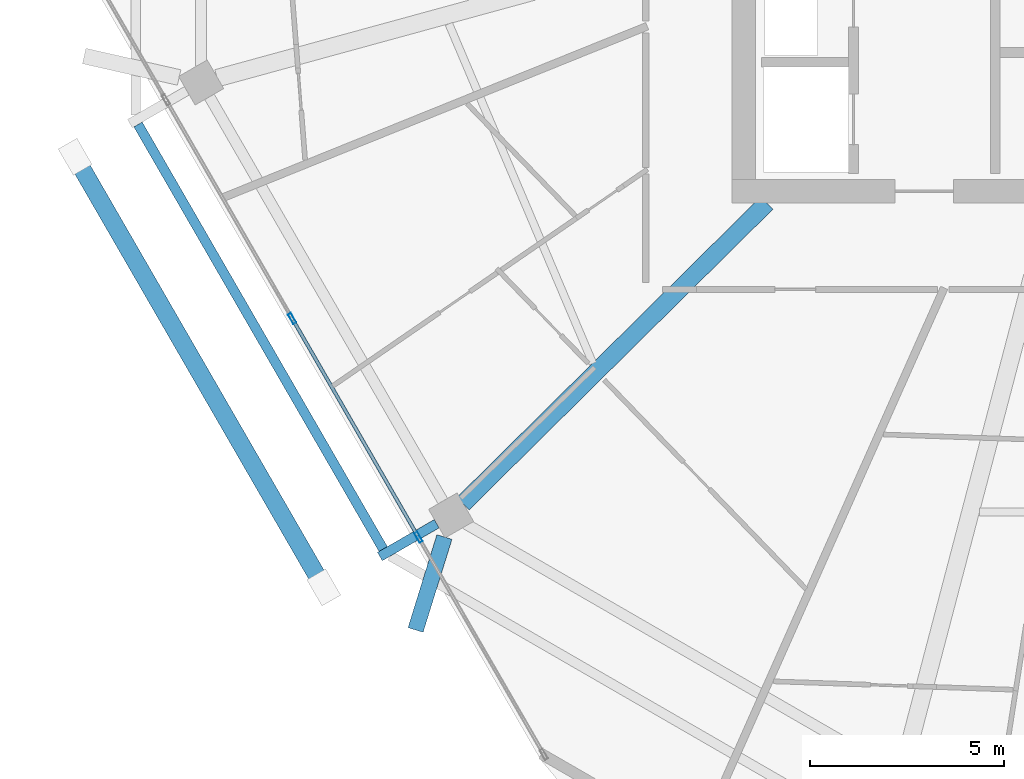
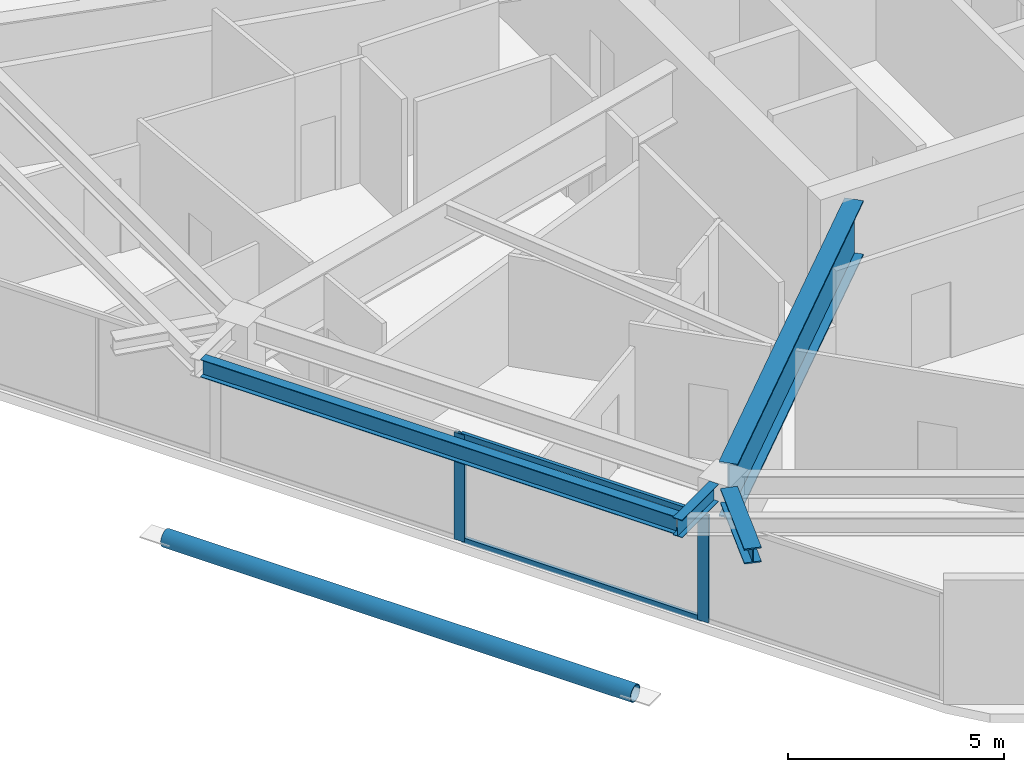
# One storey, part 3 of 26: 5 members, 4 beams, 1 element without a shape of its own.
"""IFC4 building model written with IfcOpenShell, lengths in metres."""

import ifcopenshell
import ifcopenshell.guid

model = None  # the IFC model being written
_history = None  # IfcOwnerHistory: only IFC2X3 demands one
_inside = {}  # id of a spatial element -> (the spatial element, [elements in it])
_under = {}  # id of a project, library or spatial element -> (it, [spatial elements below it])
_declared = {}  # id of a project -> (the project, [libraries it declares])
_typed = {}  # id of a type object -> (the type object, [elements of that type])
_made_of = {}  # id of a material, layer set ... -> (it, [elements and type objects made of it])


def new_model(schema):
    """Start an empty IFC model of exactly this schema.

    Asked for "IFC4X3", IfcOpenShell would pick the latest addendum, in which some entities
    have other attributes; the version numbers below select the first issue.
    IFC2X3 requires an IfcOwnerHistory on every rooted entity: one is made here for all.
    """
    global model, _history
    if schema == "IFC4X3":
        model = ifcopenshell.file(schema_version=(4, 3, 0, 0))
    else:
        model = ifcopenshell.file(schema=schema)
    _inside.clear()
    _under.clear()
    _declared.clear()
    _typed.clear()
    _made_of.clear()
    _history = None
    if model.schema == "IFC2X3":
        org = make("IfcOrganization", Name="unknown")
        user = make(
            "IfcPersonAndOrganization",
            ThePerson=make("IfcPerson", FamilyName="unknown"),
            TheOrganization=org,
        )
        app = make(
            "IfcApplication",
            ApplicationDeveloper=org,
            Version="unknown",
            ApplicationFullName="unknown",
            ApplicationIdentifier="unknown",
        )
        _history = make(
            "IfcOwnerHistory",
            OwningUser=user,
            OwningApplication=app,
            ChangeAction="ADDED",
            CreationDate=0,
        )
    return model


def make(cls, **values):
    """One entity of the class cls with the attributes given. An attribute that is None is left unset."""
    return model.create_entity(
        cls, **{name: value for name, value in values.items() if value is not None}
    )


def rooted(cls, **values):
    """An entity with a GlobalId (a new one), such as an element, a storey or a relation."""
    return make(cls, GlobalId=ifcopenshell.guid.new(), OwnerHistory=_history, **values)


def si_unit(unit_type, name, prefix=None):
    """IfcSIUnit, for example si_unit("LENGTHUNIT", "METRE", prefix="MILLI")."""
    return make("IfcSIUnit", UnitType=unit_type, Prefix=prefix, Name=name)


def assignment(units):
    """IfcUnitAssignment: the units of a project."""
    return None if units is None else make("IfcUnitAssignment", Units=units)


def point(xyz):
    """IfcCartesianPoint."""
    return None if xyz is None else make("IfcCartesianPoint", Coordinates=xyz)


def direction(xyz):
    """IfcDirection."""
    return None if xyz is None else make("IfcDirection", DirectionRatios=xyz)


def frame(location, z_axis=None, x_axis=None):
    """IfcAxis2Placement3D, a coordinate frame: its origin and axes. An axis left out is left unset."""
    return make(
        "IfcAxis2Placement3D",
        Location=point(location),
        Axis=direction(z_axis),
        RefDirection=direction(x_axis),
    )


def frame_2d(location, x_axis=None):
    """IfcAxis2Placement2D, a coordinate frame in the plane: its origin and x axis."""
    return make(
        "IfcAxis2Placement2D", Location=point(location), RefDirection=direction(x_axis)
    )


def origin():
    """The frame at (0, 0, 0) with its axes left unset."""
    return frame((0.0, 0.0, 0.0))


def origin_2d():
    """The frame at (0, 0) in the plane with its x axis left unset."""
    return frame_2d((0.0, 0.0))


def place(relative_to, where):
    """IfcLocalPlacement: puts the frame where relative to a parent placement (None: the world)."""
    return make(
        "IfcLocalPlacement", PlacementRelTo=relative_to, RelativePlacement=where
    )


def context(
    kind, dimensions, precision=None, world=None, true_north=None, identifier=None
):
    """IfcGeometricRepresentationContext, for example the 3D "Model" context."""
    return make(
        "IfcGeometricRepresentationContext",
        ContextIdentifier=identifier,
        ContextType=kind,
        CoordinateSpaceDimension=dimensions,
        Precision=precision,
        WorldCoordinateSystem=world,
        TrueNorth=true_north,
    )


def subcontext(parent, identifier, kind, view, scale=None):
    """IfcGeometricRepresentationSubContext, for example "Body" below "Model"."""
    return make(
        "IfcGeometricRepresentationSubContext",
        ContextIdentifier=identifier,
        ContextType=kind,
        ParentContext=parent,
        TargetScale=scale,
        TargetView=view,
    )


def project(units=None, contexts=None):
    """IfcProject with its units and contexts."""
    return rooted(
        "IfcProject",
        Name="project",
        RepresentationContexts=contexts,
        UnitsInContext=assignment(units),
    )


def spatial(cls, under=None, at=None, **own):
    """A site, building, storey or space (cls), placed at a placement, below another one or the project."""
    s = rooted(cls, ObjectPlacement=at, **own)
    if under is not None:
        _under.setdefault(under.id(), (under, []))[1].append(s)
    return s


def profile(cls, at=None, kind="AREA", **sizes):
    """A parametric profile (cls). Its sizes go by their IFC names, for example OverallWidth=200.0."""
    return make(cls, ProfileType=kind, Position=at, **sizes)


def hollow_rectangle(**sizes):
    """IfcRectangleHollowProfileDef."""
    return profile("IfcRectangleHollowProfileDef", **sizes)


def hollow_circle(**sizes):
    """IfcCircleHollowProfileDef."""
    return profile("IfcCircleHollowProfileDef", **sizes)


def i_section(**sizes):
    """IfcIShapeProfileDef."""
    return profile("IfcIShapeProfileDef", **sizes)


def extrude(swept, where, along, depth):
    """IfcExtrudedAreaSolid: the profile swept, set in the frame where, extruded along a direction by depth."""
    return make(
        "IfcExtrudedAreaSolid",
        SweptArea=swept,
        Position=where,
        ExtrudedDirection=direction(along),
        Depth=depth,
    )


def shape(context_of_items, identifier, shape_type, items):
    """IfcShapeRepresentation: the items that make up one representation, for example the "Body"."""
    return make(
        "IfcShapeRepresentation",
        ContextOfItems=context_of_items,
        RepresentationIdentifier=identifier,
        RepresentationType=shape_type,
        Items=items,
    )


def material(Name=None, Category=None):
    """IfcMaterial."""
    return make("IfcMaterial", Name=Name, Category=Category)


def material_profile(
    of_material, cross_section, Name=None, Category=None, Priority=None
):
    """IfcMaterialProfile: a cross section and its material."""
    return make(
        "IfcMaterialProfile",
        Name=Name,
        Material=of_material,
        Profile=cross_section,
        Priority=Priority,
        Category=Category,
    )


def profile_set(profiles, Name=None, composite=None):
    """IfcMaterialProfileSet."""
    return make(
        "IfcMaterialProfileSet",
        Name=Name,
        MaterialProfiles=profiles,
        CompositeProfile=composite,
    )


def made_of(thing, what):
    """Note that an element or type object is made of a material, layer set ...; save() writes the relation."""
    if what is not None:
        _made_of.setdefault(what.id(), (what, []))[1].append(thing)
    return thing


def type_object(cls, material=None, **own):
    """A type object (cls), such as IfcWallType, which elements share."""
    return made_of(rooted(cls, **own), material)


def element(
    cls,
    number,
    at=None,
    inside=None,
    cuts=None,
    type_object=None,
    material=None,
    context=None,
    identifier="Body",
    shape_type=None,
    held_by="IfcProductDefinitionShape",
    body=None,
    shapes=None,
    **own,
):
    """One element of the class cls, such as IfcWall. Its Tag is "e" and its number.

    at: its placement. inside: the storey or other place that contains it. cuts: it is an
    opening in that element (IfcRelVoidsElement). A single representation is given by context,
    identifier, shape_type and body (its items); several are given by shapes. held_by: the class
    of the entity that holds the representations. save() writes the other relations.
    """
    e = rooted(cls, Tag="e%d" % number, ObjectPlacement=at, **own)
    if body is not None:
        shapes = [shape(context, identifier, shape_type, body)]
    if shapes is not None:
        e.Representation = make(held_by, Representations=shapes)
    if inside is not None:
        _inside.setdefault(inside.id(), (inside, []))[1].append(e)
    if cuts is not None:
        rooted(
            "IfcRelVoidsElement", RelatingBuildingElement=cuts, RelatedOpeningElement=e
        )
    if type_object is not None:
        _typed.setdefault(type_object.id(), (type_object, []))[1].append(e)
    return made_of(e, material)


def aggregate(whole, parts):
    """IfcRelAggregates: a whole, such as a stair, and the parts it consists of."""
    return rooted("IfcRelAggregates", RelatingObject=whole, RelatedObjects=parts)


def save(model, path):
    """Write the relations noted so far, then the file.

    IfcRelAggregates (storeys below a building ...), IfcRelContainedInSpatialStructure (elements
    in a storey), IfcRelDefinesByType, IfcRelAssociatesMaterial and IfcRelDeclares: one each for
    every whole, place, type object, material and project.
    """
    for whole, parts in _under.values():
        aggregate(whole, parts)
    for where, things in _inside.values():
        rooted(
            "IfcRelContainedInSpatialStructure",
            RelatedElements=things,
            RelatingStructure=where,
        )
    for kind, things in _typed.values():
        rooted("IfcRelDefinesByType", RelatedObjects=things, RelatingType=kind)
    for what, things in _made_of.values():
        rooted("IfcRelAssociatesMaterial", RelatedObjects=things, RelatingMaterial=what)
    for by, libraries in _declared.values():
        rooted("IfcRelDeclares", RelatingContext=by, RelatedDefinitions=libraries)
    model.write(path)


model = new_model("IFC4")

# Units and contexts
model_context = context("Model", 3, precision=1e-05, world=origin(), true_north=direction((0.0, 1.0)))
body_context = subcontext(model_context, "Body", "Model", "MODEL_VIEW")
ifc_project = project(units=[si_unit("LENGTHUNIT", "METRE"), si_unit("AREAUNIT", "SQUARE_METRE"), si_unit("VOLUMEUNIT", "CUBIC_METRE"), si_unit("PLANEANGLEUNIT", "RADIAN"), si_unit("MASSUNIT", "GRAM", prefix="KILO")], contexts=[model_context])

# Site, building, storey
site_placement = place(None, origin())
site = spatial("IfcSite", under=ifc_project, at=site_placement, CompositionType="ELEMENT")
building_placement = place(site_placement, origin())
building = spatial("IfcBuilding", under=site, at=building_placement, Name="Zuhravey Tower", CompositionType="ELEMENT")
storey_placement = place(building_placement, frame((0.0, 0.0, 299.60009765625)))
storey = spatial("IfcBuildingStorey", under=building, at=storey_placement, Name="L76", CompositionType="ELEMENT", Elevation=299.60009765625)

# Curtain wall, members
ifc_material_1 = material(Name="Thermally broken anodised aluminium", Category="aluminium")
curtain_wall_type = type_object("IfcCurtainWallType", Name="Zone 3-4 High-Rise Curtain Wall CW4", PredefinedType="NOTDEFINED", material=ifc_material_1)
curtain_wall_placement = place(storey_placement, origin())
curtain_wall = element("IfcCurtainWall", 1, at=curtain_wall_placement, inside=storey, type_object=curtain_wall_type, Name="L76 CW4 CW-L76-F4-1", PredefinedType="NOTDEFINED")
ifc_material_2 = material(Name="Anodised aluminium", Category="aluminium")
ifc_material_profile_1 = material_profile(ifc_material_2, hollow_rectangle(XDim=0.090087890625, YDim=0.284912109375, WallThickness=0.0048828125, at=origin_2d()), Name="ALU-RHS-90x285x5")
ifc_profile_set_1 = profile_set([ifc_material_profile_1], Name="Anodised aluminium")
member_type_1 = type_object("IfcMemberType", Name="Curtain-Wall Mullion 90x180", PredefinedType="MULLION", material=ifc_profile_set_1)
member_1_placement = place(storey_placement, frame((17.114501953125, 13.58349609375, 0.0), z_axis=(0.0, 0.0, 1.0), x_axis=(-0.866024851021, -0.500000957414, 0.0)))
member_1 = element("IfcMember", 2, at=member_1_placement, type_object=member_type_1, Name="CW4 mullion 2", PredefinedType="MULLION", context=body_context, shape_type="SweptSolid", body=[
    extrude(hollow_rectangle(XDim=0.090087890625, YDim=0.284912109375, WallThickness=0.0048828125, at=origin_2d()), origin(), (0.0, 0.0, 1.0), 3.02001953125),
])
member_2_placement = place(storey_placement, frame((13.861328125, 19.21826171875, 0.0), z_axis=(0.0, 0.0, 1.0), x_axis=(-0.866024851021, -0.500000957414, 0.0)))
member_2 = element("IfcMember", 3, at=member_2_placement, type_object=member_type_1, Name="CW4 mullion 3", PredefinedType="MULLION", context=body_context, shape_type="SweptSolid", body=[
    extrude(hollow_rectangle(XDim=0.090087890625, YDim=0.284912109375, WallThickness=0.0048828125, at=origin_2d()), origin(), (0.0, 0.0, 1.0), 3.02001953125),
])
ifc_material_profile_2 = material_profile(ifc_material_2, hollow_rectangle(XDim=0.090087890625, YDim=0.14990234375, WallThickness=0.0048828125, at=origin_2d()), Name="ALU-RHS-90x150x5")
ifc_profile_set_2 = profile_set([ifc_material_profile_2], Name="Anodised aluminium")
member_type_2 = type_object("IfcMemberType", Name="Curtain-Wall Transom 90x150", PredefinedType="USERDEFINED", material=ifc_profile_set_2)
member_3_placement = place(storey_placement, frame((17.092041015625, 13.62255859375, 0.044921875), z_axis=(-0.500014493347, 0.866017035885, 0.0), x_axis=(-0.866017035885, -0.500014493347, 0.0)))
member_3 = element("IfcMember", 4, at=member_3_placement, type_object=member_type_2, Name="CW4 transom 2.1", ObjectType="TRANSOM", PredefinedType="USERDEFINED", context=body_context, shape_type="SweptSolid", body=[
    extrude(hollow_rectangle(XDim=0.090087890625, YDim=0.14990234375, WallThickness=0.0048828125, at=origin_2d()), origin(), (0.0, 0.0, 1.0), 6.416259765625),
])
member_4_placement = place(storey_placement, frame((17.092041015625, 13.62255859375, 2.974853515625), z_axis=(-0.500014493347, 0.866017035885, 0.0), x_axis=(-0.866017035885, -0.500014493347, 0.0)))
member_4 = element("IfcMember", 5, at=member_4_placement, type_object=member_type_2, Name="CW4 transom 2.2", ObjectType="TRANSOM", PredefinedType="USERDEFINED", context=body_context, shape_type="SweptSolid", body=[
    extrude(hollow_rectangle(XDim=0.090087890625, YDim=0.14990234375, WallThickness=0.0048828125, at=origin_2d()), origin(), (0.0, 0.0, 1.0), 6.416259765625),
])
aggregate(curtain_wall, [member_1, member_2, member_3, member_4])

# Beam
ifc_material_3 = material(Name="Steel SM460", Category="steel")
ifc_material_profile_3 = material_profile(ifc_material_3, i_section(OverallWidth=0.406982421875, OverallDepth=0.427978515625, WebThickness=0.02001953125, FlangeThickness=0.034912109375, at=origin_2d()), Name="H-428x407x20x35")
ifc_profile_set_3 = profile_set([ifc_material_profile_3], Name="Steel SM460")
beam_type_1 = type_object("IfcBeamType", Name="Exoskeleton Node Tie Beam H428x407", PredefinedType="BEAM", material=ifc_profile_set_3)
beam_1_placement = place(storey_placement, frame((17.78369140625, 13.588623046875, 3.305908203125), z_axis=(-0.296390030166, -0.955066987189, 0.0), x_axis=(0.955066987189, -0.296390030166, 0.0)))
element("IfcBeam", 6, at=beam_1_placement, inside=storey, type_object=beam_type_1, Name="L76 Exoskeleton Node Tie NT1-08", PredefinedType="BEAM", context=body_context, shape_type="SweptSolid", body=[
    extrude(i_section(OverallWidth=0.406982421875, OverallDepth=0.427978515625, WebThickness=0.02001953125, FlangeThickness=0.034912109375, at=origin_2d()), origin(), (0.0, 0.0, 1.0), 2.50830078125),
])

# Member
ifc_material_4 = material(Name="Steel SM355", Category="steel")
ifc_material_profile_4 = material_profile(ifc_material_4, hollow_circle(Radius=0.228515625, WallThickness=0.02197265625, at=origin_2d()), Name="CHS-457.2x22")
ifc_profile_set_4 = profile_set([ifc_material_profile_4], Name="Steel SM355")
member_type_3 = type_object("IfcMemberType", Name="Exoskeleton Ring Tie CHS457x22", PredefinedType="CHORD", material=ifc_profile_set_4)
member_5_placement = place(storey_placement, frame((8.337158203125, 23.26611328125, -0.464111328125), z_axis=(0.50000793057, -0.866020825019, 0.0), x_axis=(0.866020825019, 0.50000793057, 0.0)))
element("IfcMember", 7, at=member_5_placement, inside=storey, type_object=member_type_3, Name="L76 Exoskeleton Face 4 Tie EXR1", PredefinedType="CHORD", context=body_context, shape_type="SweptSolid", body=[
    extrude(hollow_circle(Radius=0.228515625, WallThickness=0.02197265625, at=origin_2d()), origin(), (0.0, 0.0, 1.0), 12.535400390625),
])

# Beams
ifc_material_profile_5 = material_profile(ifc_material_3, i_section(OverallWidth=0.449951171875, OverallDepth=1.550048828125, WebThickness=0.02587890625, FlangeThickness=0.0419921875, at=origin_2d()), Name="H-1550x450x26x42")
ifc_profile_set_5 = profile_set([ifc_material_profile_5], Name="Steel SM460")
beam_type_2 = type_object("IfcBeamType", Name="Heavy Setback Transfer Girder H1550x450", PredefinedType="BEAM", material=ifc_profile_set_5)
beam_2_placement = place(storey_placement, frame((26.09326171875, 22.197021484375, 2.744873046875), z_axis=(-0.710808169267, -0.70338591577, 0.0), x_axis=(0.70338591577, -0.710808169267, 0.0)))
element("IfcBeam", 8, at=beam_2_placement, inside=storey, type_object=beam_type_2, Name="L76 TG3 BM-L76-RAD-08", PredefinedType="BEAM", context=body_context, shape_type="SweptSolid", body=[
    extrude(i_section(OverallWidth=0.449951171875, OverallDepth=1.550048828125, WebThickness=0.02587890625, FlangeThickness=0.0419921875, at=origin_2d()), origin(), (0.0, 0.0, 1.0), 11.019287109375),
])
ifc_material_profile_6 = material_profile(ifc_material_4, i_section(OverallWidth=0.25, OverallDepth=0.5, WebThickness=0.010009765625, FlangeThickness=0.01611328125, at=origin_2d()), Name="H-500x250x10x16")
ifc_profile_set_6 = profile_set([ifc_material_profile_6], Name="Steel SM355")
beam_type_3 = type_object("IfcBeamType", Name="Tray Cantilever Spandrel H500x250", PredefinedType="SPANDREL", material=ifc_profile_set_6)
beam_3_placement = place(storey_placement, frame((17.5849609375, 13.930908203125, 3.27001953125), z_axis=(-0.865995664872, -0.50005150577, 0.0), x_axis=(0.50005150577, -0.865995664872, 0.0)))
element("IfcBeam", 9, at=beam_3_placement, inside=storey, type_object=beam_type_3, Name="L76 Sky-Tray Cantilever Arm TSB1-R08", PredefinedType="SPANDREL", context=body_context, shape_type="SweptSolid", body=[
    extrude(i_section(OverallWidth=0.25, OverallDepth=0.5, WebThickness=0.010009765625, FlangeThickness=0.01611328125, at=origin_2d()), origin(), (0.0, 0.0, 1.0), 1.691162109375),
])
beam_4_placement = place(storey_placement, frame((9.88818359375, 24.219482421875, 3.27001953125), z_axis=(0.500022947832, -0.866012154442, 0.0), x_axis=(0.866012154442, 0.500022947832, 0.0)))
element("IfcBeam", 10, at=beam_4_placement, inside=storey, type_object=beam_type_3, Name="L76 Sky-Tray Edge Spandrel TSB1-07", PredefinedType="SPANDREL", context=body_context, shape_type="SweptSolid", body=[
    extrude(i_section(OverallWidth=0.25, OverallDepth=0.5, WebThickness=0.010009765625, FlangeThickness=0.01611328125, at=origin_2d()), origin(), (0.0, 0.0, 1.0), 12.6357421875),
])

save(model, "model.ifc")
